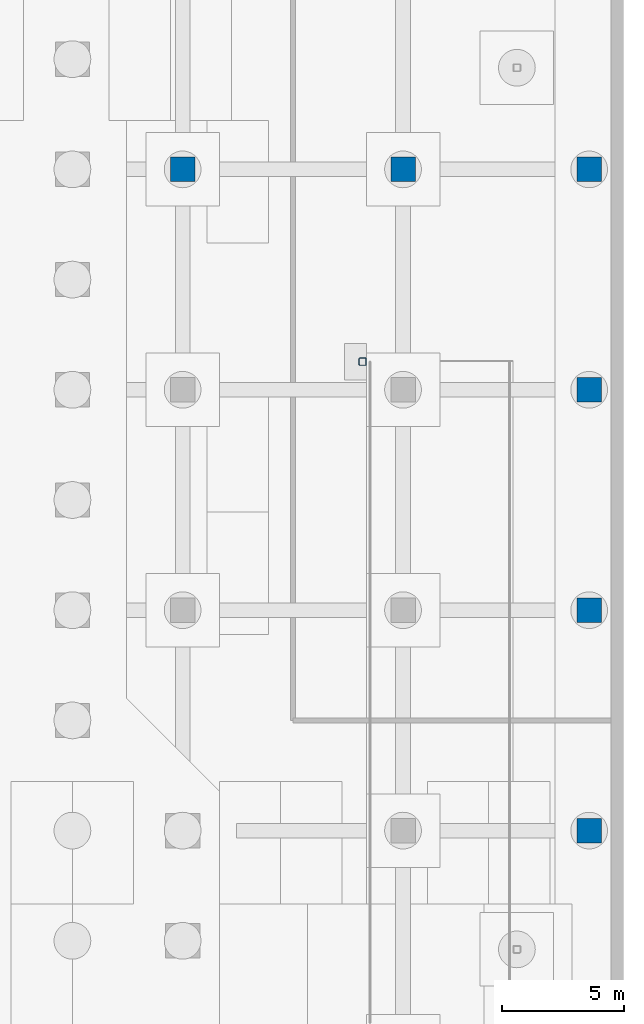
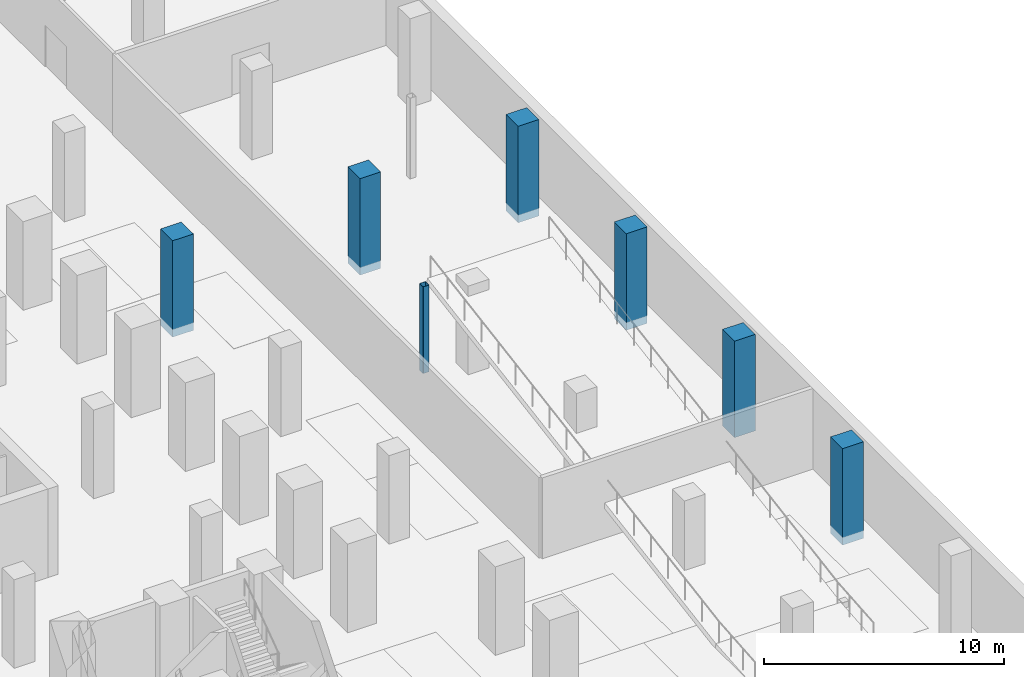
# One storey, part 5 of 37: 7 columns.
"""IFC4 building model written with IfcOpenShell, lengths in metres."""

import ifcopenshell
import ifcopenshell.guid

model = None  # the IFC model being written
_history = None  # IfcOwnerHistory: only IFC2X3 demands one
_inside = {}  # id of a spatial element -> (the spatial element, [elements in it])
_under = {}  # id of a project, library or spatial element -> (it, [spatial elements below it])
_declared = {}  # id of a project -> (the project, [libraries it declares])
_typed = {}  # id of a type object -> (the type object, [elements of that type])
_made_of = {}  # id of a material, layer set ... -> (it, [elements and type objects made of it])


def new_model(schema):
    """Start an empty IFC model of exactly this schema.

    Asked for "IFC4X3", IfcOpenShell would pick the latest addendum, in which some entities
    have other attributes; the version numbers below select the first issue.
    IFC2X3 requires an IfcOwnerHistory on every rooted entity: one is made here for all.
    """
    global model, _history
    if schema == "IFC4X3":
        model = ifcopenshell.file(schema_version=(4, 3, 0, 0))
    else:
        model = ifcopenshell.file(schema=schema)
    _inside.clear()
    _under.clear()
    _declared.clear()
    _typed.clear()
    _made_of.clear()
    _history = None
    if model.schema == "IFC2X3":
        org = make("IfcOrganization", Name="unknown")
        user = make(
            "IfcPersonAndOrganization",
            ThePerson=make("IfcPerson", FamilyName="unknown"),
            TheOrganization=org,
        )
        app = make(
            "IfcApplication",
            ApplicationDeveloper=org,
            Version="unknown",
            ApplicationFullName="unknown",
            ApplicationIdentifier="unknown",
        )
        _history = make(
            "IfcOwnerHistory",
            OwningUser=user,
            OwningApplication=app,
            ChangeAction="ADDED",
            CreationDate=0,
        )
    return model


def make(cls, **values):
    """One entity of the class cls with the attributes given. An attribute that is None is left unset."""
    return model.create_entity(
        cls, **{name: value for name, value in values.items() if value is not None}
    )


def rooted(cls, **values):
    """An entity with a GlobalId (a new one), such as an element, a storey or a relation."""
    return make(cls, GlobalId=ifcopenshell.guid.new(), OwnerHistory=_history, **values)


def si_unit(unit_type, name, prefix=None):
    """IfcSIUnit, for example si_unit("LENGTHUNIT", "METRE", prefix="MILLI")."""
    return make("IfcSIUnit", UnitType=unit_type, Prefix=prefix, Name=name)


def assignment(units):
    """IfcUnitAssignment: the units of a project."""
    return None if units is None else make("IfcUnitAssignment", Units=units)


def point(xyz):
    """IfcCartesianPoint."""
    return None if xyz is None else make("IfcCartesianPoint", Coordinates=xyz)


def direction(xyz):
    """IfcDirection."""
    return None if xyz is None else make("IfcDirection", DirectionRatios=xyz)


def frame(location, z_axis=None, x_axis=None):
    """IfcAxis2Placement3D, a coordinate frame: its origin and axes. An axis left out is left unset."""
    return make(
        "IfcAxis2Placement3D",
        Location=point(location),
        Axis=direction(z_axis),
        RefDirection=direction(x_axis),
    )


def frame_2d(location, x_axis=None):
    """IfcAxis2Placement2D, a coordinate frame in the plane: its origin and x axis."""
    return make(
        "IfcAxis2Placement2D", Location=point(location), RefDirection=direction(x_axis)
    )


def origin():
    """The frame at (0, 0, 0) with its axes left unset."""
    return frame((0.0, 0.0, 0.0))


def origin_2d():
    """The frame at (0, 0) in the plane with its x axis left unset."""
    return frame_2d((0.0, 0.0))


def place(relative_to, where):
    """IfcLocalPlacement: puts the frame where relative to a parent placement (None: the world)."""
    return make(
        "IfcLocalPlacement", PlacementRelTo=relative_to, RelativePlacement=where
    )


def context(
    kind, dimensions, precision=None, world=None, true_north=None, identifier=None
):
    """IfcGeometricRepresentationContext, for example the 3D "Model" context."""
    return make(
        "IfcGeometricRepresentationContext",
        ContextIdentifier=identifier,
        ContextType=kind,
        CoordinateSpaceDimension=dimensions,
        Precision=precision,
        WorldCoordinateSystem=world,
        TrueNorth=true_north,
    )


def subcontext(parent, identifier, kind, view, scale=None):
    """IfcGeometricRepresentationSubContext, for example "Body" below "Model"."""
    return make(
        "IfcGeometricRepresentationSubContext",
        ContextIdentifier=identifier,
        ContextType=kind,
        ParentContext=parent,
        TargetScale=scale,
        TargetView=view,
    )


def project(units=None, contexts=None):
    """IfcProject with its units and contexts."""
    return rooted(
        "IfcProject",
        Name="project",
        RepresentationContexts=contexts,
        UnitsInContext=assignment(units),
    )


def spatial(cls, under=None, at=None, **own):
    """A site, building, storey or space (cls), placed at a placement, below another one or the project."""
    s = rooted(cls, ObjectPlacement=at, **own)
    if under is not None:
        _under.setdefault(under.id(), (under, []))[1].append(s)
    return s


def profile(cls, at=None, kind="AREA", **sizes):
    """A parametric profile (cls). Its sizes go by their IFC names, for example OverallWidth=200.0."""
    return make(cls, ProfileType=kind, Position=at, **sizes)


def rectangle(**sizes):
    """IfcRectangleProfileDef."""
    return profile("IfcRectangleProfileDef", **sizes)


def hollow_rectangle(**sizes):
    """IfcRectangleHollowProfileDef."""
    return profile("IfcRectangleHollowProfileDef", **sizes)


def extrude(swept, where, along, depth):
    """IfcExtrudedAreaSolid: the profile swept, set in the frame where, extruded along a direction by depth."""
    return make(
        "IfcExtrudedAreaSolid",
        SweptArea=swept,
        Position=where,
        ExtrudedDirection=direction(along),
        Depth=depth,
    )


def shape(context_of_items, identifier, shape_type, items):
    """IfcShapeRepresentation: the items that make up one representation, for example the "Body"."""
    return make(
        "IfcShapeRepresentation",
        ContextOfItems=context_of_items,
        RepresentationIdentifier=identifier,
        RepresentationType=shape_type,
        Items=items,
    )


def material(Name=None, Category=None):
    """IfcMaterial."""
    return make("IfcMaterial", Name=Name, Category=Category)


def material_profile(
    of_material, cross_section, Name=None, Category=None, Priority=None
):
    """IfcMaterialProfile: a cross section and its material."""
    return make(
        "IfcMaterialProfile",
        Name=Name,
        Material=of_material,
        Profile=cross_section,
        Priority=Priority,
        Category=Category,
    )


def profile_set(profiles, Name=None, composite=None):
    """IfcMaterialProfileSet."""
    return make(
        "IfcMaterialProfileSet",
        Name=Name,
        MaterialProfiles=profiles,
        CompositeProfile=composite,
    )


def made_of(thing, what):
    """Note that an element or type object is made of a material, layer set ...; save() writes the relation."""
    if what is not None:
        _made_of.setdefault(what.id(), (what, []))[1].append(thing)
    return thing


def type_object(cls, material=None, **own):
    """A type object (cls), such as IfcWallType, which elements share."""
    return made_of(rooted(cls, **own), material)


def element(
    cls,
    number,
    at=None,
    inside=None,
    cuts=None,
    type_object=None,
    material=None,
    context=None,
    identifier="Body",
    shape_type=None,
    held_by="IfcProductDefinitionShape",
    body=None,
    shapes=None,
    **own,
):
    """One element of the class cls, such as IfcWall. Its Tag is "e" and its number.

    at: its placement. inside: the storey or other place that contains it. cuts: it is an
    opening in that element (IfcRelVoidsElement). A single representation is given by context,
    identifier, shape_type and body (its items); several are given by shapes. held_by: the class
    of the entity that holds the representations. save() writes the other relations.
    """
    e = rooted(cls, Tag="e%d" % number, ObjectPlacement=at, **own)
    if body is not None:
        shapes = [shape(context, identifier, shape_type, body)]
    if shapes is not None:
        e.Representation = make(held_by, Representations=shapes)
    if inside is not None:
        _inside.setdefault(inside.id(), (inside, []))[1].append(e)
    if cuts is not None:
        rooted(
            "IfcRelVoidsElement", RelatingBuildingElement=cuts, RelatedOpeningElement=e
        )
    if type_object is not None:
        _typed.setdefault(type_object.id(), (type_object, []))[1].append(e)
    return made_of(e, material)


def aggregate(whole, parts):
    """IfcRelAggregates: a whole, such as a stair, and the parts it consists of."""
    return rooted("IfcRelAggregates", RelatingObject=whole, RelatedObjects=parts)


def save(model, path):
    """Write the relations noted so far, then the file.

    IfcRelAggregates (storeys below a building ...), IfcRelContainedInSpatialStructure (elements
    in a storey), IfcRelDefinesByType, IfcRelAssociatesMaterial and IfcRelDeclares: one each for
    every whole, place, type object, material and project.
    """
    for whole, parts in _under.values():
        aggregate(whole, parts)
    for where, things in _inside.values():
        rooted(
            "IfcRelContainedInSpatialStructure",
            RelatedElements=things,
            RelatingStructure=where,
        )
    for kind, things in _typed.values():
        rooted("IfcRelDefinesByType", RelatedObjects=things, RelatingType=kind)
    for what, things in _made_of.values():
        rooted("IfcRelAssociatesMaterial", RelatedObjects=things, RelatingMaterial=what)
    for by, libraries in _declared.values():
        rooted("IfcRelDeclares", RelatingContext=by, RelatedDefinitions=libraries)
    model.write(path)


model = new_model("IFC4")

# Units and contexts
model_context = context("Model", 3, precision=1e-05, world=origin(), true_north=direction((0.0, 1.0)))
body_context = subcontext(model_context, "Body", "Model", "MODEL_VIEW")
ifc_project = project(units=[si_unit("LENGTHUNIT", "METRE"), si_unit("AREAUNIT", "SQUARE_METRE"), si_unit("VOLUMEUNIT", "CUBIC_METRE"), si_unit("PLANEANGLEUNIT", "RADIAN"), si_unit("MASSUNIT", "GRAM", prefix="KILO")], contexts=[model_context])

# Site, building, storey
site_placement = place(None, origin())
site = spatial("IfcSite", under=ifc_project, at=site_placement, CompositionType="ELEMENT")
building_placement = place(site_placement, origin())
building = spatial("IfcBuilding", under=site, at=building_placement, Name="Quoin Convention Tower", CompositionType="ELEMENT")
storey_placement = place(building_placement, frame((0.0, 0.0, -9.0)))
storey = spatial("IfcBuildingStorey", under=building, at=storey_placement, Name="B2", CompositionType="ELEMENT", Elevation=-9.0)

# Columns
ifc_material_1 = material(Name="Concrete C100 (100 MPa)", Category="concrete")
ifc_material_profile_1 = material_profile(ifc_material_1, rectangle(XDim=1.0, YDim=1.0, at=origin_2d()), Name="RC 1000x1000")
ifc_profile_set_1 = profile_set([ifc_material_profile_1], Name="Concrete C100 (100 MPa)")
column_type_1 = type_object("IfcColumnType", Name="RC 1000x1000 C100", PredefinedType="COLUMN", material=ifc_profile_set_1)
for number, where, z_axis, x_axis, name in (
    (1, (81.0, 63.0, -0.39990234375), (0.0, 0.0, 1.0), (1.0, 0.0, 0.0), "col-B2-G81000_63000"),
    (2, (90.0, 63.0, -0.39990234375), (0.0, 0.0, 1.0), (1.0, 0.0, 0.0), "col-B2-G90000_63000"),
    (3, (97.60009765625, 36.0, -0.39990234375), (0.0, 0.0, 1.0), (1.0, 0.0, 0.0), "col-B2-X97600_36000"),
    (4, (97.60009765625, 45.0, -0.39990234375), (0.0, 0.0, 1.0), (1.0, 0.0, 0.0), "col-B2-X97600_45000"),
    (5, (97.60009765625, 54.0, -0.39990234375), (0.0, 0.0, 1.0), (1.0, 0.0, 0.0), "col-B2-X97600_54000"),
    (6, (97.60009765625, 63.0, -0.39990234375), (0.0, 0.0, 1.0), (1.0, 0.0, 0.0), "col-B2-X97600_63000"),
):
    element("IfcColumn", number, at=place(storey_placement, frame(where, z_axis=z_axis, x_axis=x_axis)), inside=storey, type_object=column_type_1, Name=name, PredefinedType="COLUMN", context=body_context, shape_type="SweptSolid", body=[
        extrude(rectangle(XDim=1.0, YDim=1.0, at=origin_2d()), origin(), (0.0, 0.0, 1.0), 4.89990234375),
    ])
ifc_material_2 = material(Name="Steel Grade 350", Category="steel")
ifc_material_profile_2 = material_profile(ifc_material_2, hollow_rectangle(XDim=0.300048828125, YDim=0.300048828125, WallThickness=0.012451171875, InnerFilletRadius=0.018798828125, OuterFilletRadius=0.03125, at=origin_2d()), Name="300x300x12.5SHS")
ifc_profile_set_2 = profile_set([ifc_material_profile_2], Name="Steel Grade 350")
column_type_2 = type_object("IfcColumnType", Name="Ramp support post 300x300x12.5SHS", PredefinedType="COLUMN", material=ifc_profile_set_2)
column_placement = place(storey_placement, frame((88.35009765625, 55.14990234375, -0.39990234375), z_axis=(0.0, 0.0, 1.0), x_axis=(1.0, 0.0, 0.0)))
element("IfcColumn", 7, at=column_placement, inside=storey, type_object=column_type_2, Name="rp2hi-B2", PredefinedType="COLUMN", context=body_context, shape_type="SweptSolid", body=[
    extrude(hollow_rectangle(XDim=0.300048828125, YDim=0.300048828125, WallThickness=0.012451171875, InnerFilletRadius=0.018798828125, OuterFilletRadius=0.03125, at=origin_2d()), origin(), (0.0, 0.0, 1.0), 4.40380859375),
])

save(model, "model.ifc")
